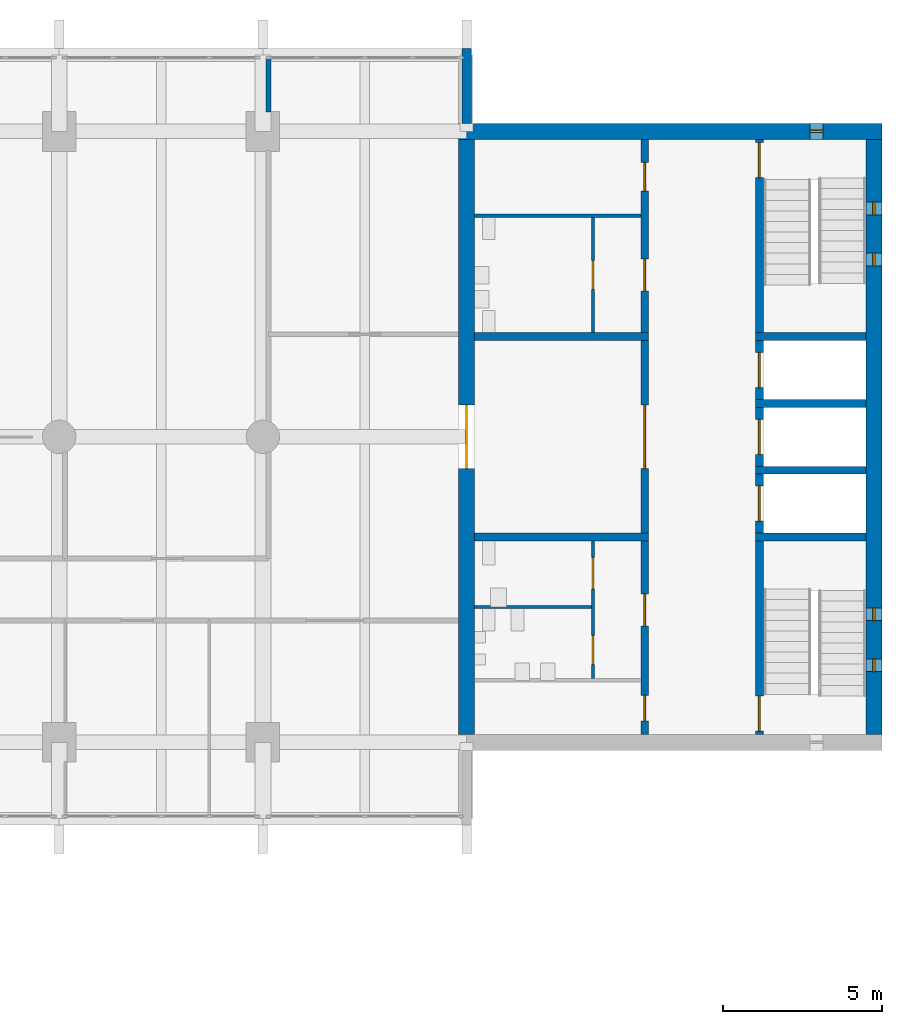
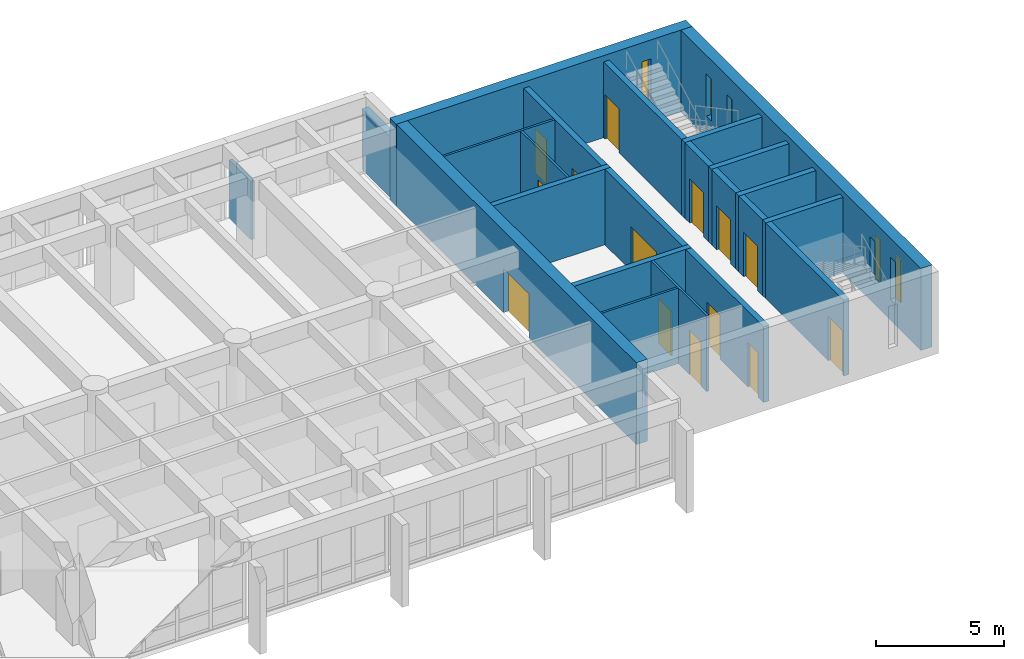
# One storey, part 14 of 19: 23 walls, 14 doors, 5 windows, 19 openings.
"""IFC4 building model written with IfcOpenShell, lengths in metres."""

from ifc_helpers import new_model, si_unit, direction, frame, frame_2d, origin, place, context, subcontext, project, spatial, rectangle, extrude, material, layer, layer_set, type_object, element, fill, save


model = new_model("IFC4")

# Units and contexts
model_context = context("Model", 3, precision=1e-05, world=origin(), true_north=direction((0.0, 1.0)))
body_context = subcontext(model_context, "Body", "Model", "MODEL_VIEW")
ifc_project = project(units=[si_unit("LENGTHUNIT", "METRE"), si_unit("AREAUNIT", "SQUARE_METRE"), si_unit("VOLUMEUNIT", "CUBIC_METRE"), si_unit("PLANEANGLEUNIT", "RADIAN"), si_unit("MASSUNIT", "GRAM", prefix="KILO")], contexts=[model_context])

# Site, building, storey
site_placement = place(None, origin())
site = spatial("IfcSite", under=ifc_project, at=site_placement, CompositionType="ELEMENT")
building_placement = place(site_placement, origin())
building = spatial("IfcBuilding", under=site, at=building_placement, Name="Fogon Plaza Fire Station and Headquarters Tower", CompositionType="ELEMENT")
storey_placement = place(building_placement, frame((0.0, 0.0, 24.89990234375)))
storey = spatial("IfcBuildingStorey", under=building, at=storey_placement, Name="L06", CompositionType="ELEMENT", Elevation=24.89990234375)

# Walls
ifc_material_1 = material(Name="Concrete C40", Category="concrete")
ifc_layer_1 = layer(ifc_material_1, 0.25)
ifc_layer_set_1 = layer_set([ifc_layer_1], Name="Concrete C40")
wall_type_1 = type_object("IfcWallType", Name="Core Wall RC 250", PredefinedType="SOLIDWALL", material=ifc_layer_set_1)
for number, where, z_axis, x_axis, name in (
    (1, (76.550048828125, 40.050048828125, 0.0), (0.0, 0.0, 1.0), (-1.0, 0.0, 0.0), "Core B shaft wall"),
    (2, (76.550048828125, 42.14990234375, 0.0), (0.0, 0.0, 1.0), (-1.0, 0.0, 0.0), "Core B shaft wall"),
    (3, (76.550048828125, 44.25, 0.0), (0.0, 0.0, 1.0), (-1.0, 0.0, 0.0), "Core B shaft wall"),
    (4, (76.550048828125, 46.35009765625, 0.0), (0.0, 0.0, 1.0), (-1.0, 0.0, 0.0), "Core B shaft wall"),
):
    element("IfcWall", number, at=place(storey_placement, frame(where, z_axis=z_axis, x_axis=x_axis)), inside=storey, type_object=wall_type_1, Name=name, PredefinedType="SOLIDWALL", context=body_context, shape_type="SweptSolid", body=[
        extrude(rectangle(XDim=3.47509765625, YDim=0.25, at=frame_2d((1.737548828125, 0.0))), origin(), (0.0, 0.0, 1.0), 3.60009765625),
    ])

# Wall, opening, door
wall_1_placement = place(storey_placement, frame((73.199951171875, 33.85009765625, 0.0), z_axis=(0.0, 0.0, 1.0), x_axis=(0.0, 1.0, 0.0)))
wall_1 = element("IfcWall", 5, at=wall_1_placement, inside=storey, type_object=wall_type_1, Name="Core B shaft wall", PredefinedType="SOLIDWALL", context=body_context, shape_type="SweptSolid", body=[
    extrude(rectangle(XDim=6.074951171875, YDim=0.25, at=frame_2d((3.03759765625, 0.0))), origin(), (0.0, 0.0, 1.0), 3.60009765625),
])
opening_1_placement = place(wall_1_placement, frame((0.10009765625, 0.0, 0.0)))
opening_1 = element("IfcOpeningElement", 6, at=opening_1_placement, cuts=wall_1, Name="Opening L06-D15", PredefinedType="OPENING", context=body_context, shape_type="SweptSolid", body=[
    extrude(rectangle(XDim=1.10009765625, YDim=2.10009765625, at=frame_2d((0.550048828125, 1.050048828125))), frame((0.0, 0.135009765625, 0.0), z_axis=(0.0, -1.0, 0.0), x_axis=(1.0, 0.0, 0.0)), (0.0, 0.0, 1.0), 0.27001953125),
])
ifc_material_2 = material(Name="Steel Fire Door Leaf", Category="steel")
door_type_1 = type_object("IfcDoorType", Name="Stair Door Single 1100x2100", OperationType="SINGLE_SWING_LEFT", PredefinedType="DOOR", material=ifc_material_2)
door_1_placement = place(opening_1_placement, frame((1.10009765625, 0.0, 0.0), z_axis=(0.0, 0.0, 1.0), x_axis=(-1.0, 0.0, 0.0)))
door_1 = element("IfcDoor", 7, at=door_1_placement, inside=storey, type_object=door_type_1, Name="Stair door ST3", OperationType="SINGLE_SWING_RIGHT", OverallHeight=2.10009765625, OverallWidth=1.10009765625, PredefinedType="DOOR", context=body_context, shape_type="SweptSolid", body=[
    extrude(rectangle(XDim=1.10009765625, YDim=2.10009765625, at=frame_2d((0.550048828125, 1.050048828125))), frame((0.0, 0.02490234375, 0.0), z_axis=(0.0, -1.0, 0.0), x_axis=(1.0, 0.0, 0.0)), (0.0, 0.0, 1.0), 0.050048828125),
])
fill(opening_1, door_1)

wall_2_placement = place(storey_placement, frame((73.199951171875, 40.175048828125, 0.0), z_axis=(0.0, 0.0, 1.0), x_axis=(0.0, 1.0, 0.0)))
wall_2 = element("IfcWall", 8, at=wall_2_placement, inside=storey, type_object=wall_type_1, Name="Core B shaft wall", PredefinedType="SOLIDWALL", context=body_context, shape_type="SweptSolid", body=[
    extrude(rectangle(XDim=1.849853515625, YDim=0.25, at=frame_2d((0.9248046875, 0.0))), origin(), (0.0, 0.0, 1.0), 3.60009765625),
])
opening_2_placement = place(wall_2_placement, frame((0.375, 0.0, 0.0)))
opening_2 = element("IfcOpeningElement", 9, at=opening_2_placement, cuts=wall_2, Name="Opening L06-D17", PredefinedType="OPENING", context=body_context, shape_type="SweptSolid", body=[
    extrude(rectangle(XDim=1.10009765625, YDim=2.10009765625, at=frame_2d((0.550048828125, 1.050048828125))), frame((0.0, 0.135009765625, 0.0), z_axis=(0.0, -1.0, 0.0), x_axis=(1.0, 0.0, 0.0)), (0.0, 0.0, 1.0), 0.27001953125),
])
ifc_material_3 = material(Name="Stainless Steel", Category="steel")
door_type_2 = type_object("IfcDoorType", Name="Lift Landing Door 1100x2100", OperationType="SLIDING_TO_LEFT", PredefinedType="DOOR", material=ifc_material_3)
door_2_placement = place(opening_2_placement, origin())
door_2 = element("IfcDoor", 10, at=door_2_placement, inside=storey, type_object=door_type_2, Name="Lift LP3 landing door", OperationType="SLIDING_TO_LEFT", OverallHeight=2.10009765625, OverallWidth=1.10009765625, PredefinedType="DOOR", context=body_context, shape_type="SweptSolid", body=[
    extrude(rectangle(XDim=1.10009765625, YDim=2.10009765625, at=frame_2d((0.550048828125, 1.050048828125))), frame((0.0, 0.02490234375, 0.0), z_axis=(0.0, -1.0, 0.0), x_axis=(1.0, 0.0, 0.0)), (0.0, 0.0, 1.0), 0.050048828125),
])
fill(opening_2, door_2)

wall_3_placement = place(storey_placement, frame((73.199951171875, 42.27490234375, 0.0), z_axis=(0.0, 0.0, 1.0), x_axis=(0.0, 1.0, 0.0)))
wall_3 = element("IfcWall", 11, at=wall_3_placement, inside=storey, type_object=wall_type_1, Name="Core B shaft wall", PredefinedType="SOLIDWALL", context=body_context, shape_type="SweptSolid", body=[
    extrude(rectangle(XDim=1.85009765625, YDim=0.25, at=frame_2d((0.925048828125, 0.0))), origin(), (0.0, 0.0, 1.0), 3.60009765625),
])
opening_3_placement = place(wall_3_placement, frame((0.375, 0.0, 0.0)))
opening_3 = element("IfcOpeningElement", 12, at=opening_3_placement, cuts=wall_3, Name="Opening L06-D18", PredefinedType="OPENING", context=body_context, shape_type="SweptSolid", body=[
    extrude(rectangle(XDim=1.10009765625, YDim=2.10009765625, at=frame_2d((0.550048828125, 1.050048828125))), frame((0.0, 0.135009765625, 0.0), z_axis=(0.0, -1.0, 0.0), x_axis=(1.0, 0.0, 0.0)), (0.0, 0.0, 1.0), 0.27001953125),
])
door_3_placement = place(opening_3_placement, origin())
door_3 = element("IfcDoor", 13, at=door_3_placement, inside=storey, type_object=door_type_2, Name="Lift LP4 landing door", OperationType="SLIDING_TO_LEFT", OverallHeight=2.10009765625, OverallWidth=1.10009765625, PredefinedType="DOOR", context=body_context, shape_type="SweptSolid", body=[
    extrude(rectangle(XDim=1.10009765625, YDim=2.10009765625, at=frame_2d((0.550048828125, 1.050048828125))), frame((0.0, 0.02490234375, 0.0), z_axis=(0.0, -1.0, 0.0), x_axis=(1.0, 0.0, 0.0)), (0.0, 0.0, 1.0), 0.050048828125),
])
fill(opening_3, door_3)

wall_4_placement = place(storey_placement, frame((73.199951171875, 44.375, 0.0), z_axis=(0.0, 0.0, 1.0), x_axis=(0.0, 1.0, 0.0)))
wall_4 = element("IfcWall", 14, at=wall_4_placement, inside=storey, type_object=wall_type_1, Name="Core B shaft wall", PredefinedType="SOLIDWALL", context=body_context, shape_type="SweptSolid", body=[
    extrude(rectangle(XDim=1.85009765625, YDim=0.25, at=frame_2d((0.925048828125, 0.0))), origin(), (0.0, 0.0, 1.0), 3.60009765625),
])
opening_4_placement = place(wall_4_placement, frame((0.375, 0.0, 0.0)))
opening_4 = element("IfcOpeningElement", 15, at=opening_4_placement, cuts=wall_4, Name="Opening L06-D19", PredefinedType="OPENING", context=body_context, shape_type="SweptSolid", body=[
    extrude(rectangle(XDim=1.10009765625, YDim=2.10009765625, at=frame_2d((0.550048828125, 1.050048828125))), frame((0.0, 0.135009765625, 0.0), z_axis=(0.0, -1.0, 0.0), x_axis=(1.0, 0.0, 0.0)), (0.0, 0.0, 1.0), 0.27001953125),
])
door_4_placement = place(opening_4_placement, origin())
door_4 = element("IfcDoor", 16, at=door_4_placement, inside=storey, type_object=door_type_2, Name="Lift FL2 landing door", OperationType="SLIDING_TO_LEFT", OverallHeight=2.10009765625, OverallWidth=1.10009765625, PredefinedType="DOOR", context=body_context, shape_type="SweptSolid", body=[
    extrude(rectangle(XDim=1.10009765625, YDim=2.10009765625, at=frame_2d((0.550048828125, 1.050048828125))), frame((0.0, 0.02490234375, 0.0), z_axis=(0.0, -1.0, 0.0), x_axis=(1.0, 0.0, 0.0)), (0.0, 0.0, 1.0), 0.050048828125),
])
fill(opening_4, door_4)

wall_5_placement = place(storey_placement, frame((73.199951171875, 46.47509765625, 0.0), z_axis=(0.0, 0.0, 1.0), x_axis=(0.0, 1.0, 0.0)))
wall_5 = element("IfcWall", 17, at=wall_5_placement, inside=storey, type_object=wall_type_1, Name="Core B shaft wall", PredefinedType="SOLIDWALL", context=body_context, shape_type="SweptSolid", body=[
    extrude(rectangle(XDim=6.074951171875, YDim=0.25, at=frame_2d((3.03759765625, 0.0))), origin(), (0.0, 0.0, 1.0), 3.60009765625),
])
opening_5_placement = place(wall_5_placement, frame((4.875, 0.0, 0.0)))
opening_5 = element("IfcOpeningElement", 18, at=opening_5_placement, cuts=wall_5, Name="Opening L06-D16", PredefinedType="OPENING", context=body_context, shape_type="SweptSolid", body=[
    extrude(rectangle(XDim=1.10009765625, YDim=2.10009765625, at=frame_2d((0.550048828125, 1.050048828125))), frame((0.0, 0.135009765625, 0.0), z_axis=(0.0, -1.0, 0.0), x_axis=(1.0, 0.0, 0.0)), (0.0, 0.0, 1.0), 0.27001953125),
])
door_5_placement = place(opening_5_placement, frame((1.10009765625, 0.0, 0.0), z_axis=(0.0, 0.0, 1.0), x_axis=(-1.0, 0.0, 0.0)))
door_5 = element("IfcDoor", 19, at=door_5_placement, inside=storey, type_object=door_type_1, Name="Stair door ST4", OperationType="SINGLE_SWING_LEFT", OverallHeight=2.10009765625, OverallWidth=1.10009765625, PredefinedType="DOOR", context=body_context, shape_type="SweptSolid", body=[
    extrude(rectangle(XDim=1.10009765625, YDim=2.10009765625, at=frame_2d((0.550048828125, 1.050048828125))), frame((0.0, 0.02490234375, 0.0), z_axis=(0.0, -1.0, 0.0), x_axis=(1.0, 0.0, 0.0)), (0.0, 0.0, 1.0), 0.050048828125),
])
fill(opening_5, door_5)

# Wall, openings, doors
wall_6_placement = place(storey_placement, frame((69.60009765625, 33.85009765625, 0.0), z_axis=(0.0, 0.0, 1.0), x_axis=(0.0, 1.0, 0.0)))
wall_6 = element("IfcWall", 20, at=wall_6_placement, inside=storey, type_object=wall_type_1, Name="Core B shaft wall", PredefinedType="SOLIDWALL", context=body_context, shape_type="SweptSolid", body=[
    extrude(rectangle(XDim=6.074951171875, YDim=0.25, at=frame_2d((3.03759765625, 0.0))), origin(), (0.0, 0.0, 1.0), 3.60009765625),
])
opening_6_placement = place(wall_6_placement, frame((0.425048828125, 0.0, 0.0)))
opening_6 = element("IfcOpeningElement", 21, at=opening_6_placement, cuts=wall_6, Name="Opening L06-D22", PredefinedType="OPENING", context=body_context, shape_type="SweptSolid", body=[
    extrude(rectangle(XDim=0.800048828125, YDim=2.10009765625, at=frame_2d((0.39990234375, 1.050048828125))), frame((0.0, 0.135009765625, 0.0), z_axis=(0.0, -1.0, 0.0), x_axis=(1.0, 0.0, 0.0)), (0.0, 0.0, 1.0), 0.27001953125),
])
opening_7_placement = place(wall_6_placement, frame((3.41259765625, 0.0, 0.0)))
opening_7 = element("IfcOpeningElement", 22, at=opening_7_placement, cuts=wall_6, Name="Opening L06-D23", PredefinedType="OPENING", context=body_context, shape_type="SweptSolid", body=[
    extrude(rectangle(XDim=1.0, YDim=2.10009765625, at=frame_2d((0.5, 1.050048828125))), frame((0.0, 0.135009765625, 0.0), z_axis=(0.0, -1.0, 0.0), x_axis=(1.0, 0.0, 0.0)), (0.0, 0.0, 1.0), 0.27001953125),
])
ifc_material_4 = material(Name="Timber Door Leaf", Category="wood")
door_type_3 = type_object("IfcDoorType", Name="Cleaner Store Single 800x2100", OperationType="SINGLE_SWING_LEFT", PredefinedType="DOOR", material=ifc_material_4)
door_6_placement = place(opening_6_placement, origin())
door_6 = element("IfcDoor", 23, at=door_6_placement, inside=storey, type_object=door_type_3, Name="Cleaner's store B door", OperationType="SINGLE_SWING_LEFT", OverallHeight=2.10009765625, OverallWidth=0.800048828125, PredefinedType="DOOR", context=body_context, shape_type="SweptSolid", body=[
    extrude(rectangle(XDim=0.800048828125, YDim=2.10009765625, at=frame_2d((0.39990234375, 1.050048828125))), frame((0.0, 0.02490234375, 0.0), z_axis=(0.0, -1.0, 0.0), x_axis=(1.0, 0.0, 0.0)), (0.0, 0.0, 1.0), 0.050048828125),
])
fill(opening_6, door_6)
ifc_material_5 = material(Name="Timber fire door", Category="wood")
door_type_4 = type_object("IfcDoorType", Name="WC Lobby Single 1000x2100", OperationType="SINGLE_SWING_LEFT", PredefinedType="DOOR", material=ifc_material_5)
door_7_placement = place(opening_7_placement, origin())
door_7 = element("IfcDoor", 24, at=door_7_placement, inside=storey, type_object=door_type_4, Name="Men's WC lobby B door", OperationType="SINGLE_SWING_RIGHT", OverallHeight=2.10009765625, OverallWidth=1.0, PredefinedType="DOOR", context=body_context, shape_type="SweptSolid", body=[
    extrude(rectangle(XDim=1.0, YDim=2.10009765625, at=frame_2d((0.5, 1.050048828125))), frame((0.0, 0.02490234375, 0.0), z_axis=(0.0, -1.0, 0.0), x_axis=(1.0, 0.0, 0.0)), (0.0, 0.0, 1.0), 0.050048828125),
])
fill(opening_7, door_7)

# Wall, opening, door
wall_7_placement = place(storey_placement, frame((69.60009765625, 40.175048828125, 0.0), z_axis=(0.0, 0.0, 1.0), x_axis=(0.0, 1.0, 0.0)))
wall_7 = element("IfcWall", 25, at=wall_7_placement, inside=storey, type_object=wall_type_1, Name="Core B shaft wall", PredefinedType="SOLIDWALL", context=body_context, shape_type="SweptSolid", body=[
    extrude(rectangle(XDim=6.050048828125, YDim=0.25, at=frame_2d((3.02490234375, 0.0))), origin(), (0.0, 0.0, 1.0), 3.60009765625),
])
opening_8_placement = place(wall_7_placement, frame((2.02490234375, 0.0, 0.0)))
opening_8 = element("IfcOpeningElement", 26, at=opening_8_placement, cuts=wall_7, Name="Opening L06-D20", PredefinedType="OPENING", context=body_context, shape_type="SweptSolid", body=[
    extrude(rectangle(XDim=2.0, YDim=2.10009765625, at=frame_2d((1.0, 1.050048828125))), frame((0.0, 0.135009765625, 0.0), z_axis=(0.0, -1.0, 0.0), x_axis=(1.0, 0.0, 0.0)), (0.0, 0.0, 1.0), 0.27001953125),
])
ifc_material_6 = material(Name="Steel Fire Door Leaf", Category="steel")
door_type_5 = type_object("IfcDoorType", Name="Vestibule Double 2000x2100", OperationType="DOUBLE_DOOR_SINGLE_SWING", PredefinedType="DOOR", material=ifc_material_6)
door_8_placement = place(opening_8_placement, origin())
door_8 = element("IfcDoor", 27, at=door_8_placement, inside=storey, type_object=door_type_5, Name="Vestibule B door", OperationType="DOUBLE_DOOR_SINGLE_SWING", OverallHeight=2.10009765625, OverallWidth=2.0, PredefinedType="DOOR", context=body_context, shape_type="SweptSolid", body=[
    extrude(rectangle(XDim=2.0, YDim=2.10009765625, at=frame_2d((1.0, 1.050048828125))), frame((0.0, 0.02490234375, 0.0), z_axis=(0.0, -1.0, 0.0), x_axis=(1.0, 0.0, 0.0)), (0.0, 0.0, 1.0), 0.050048828125),
])
fill(opening_8, door_8)

# Wall, openings, doors
wall_8_placement = place(storey_placement, frame((69.60009765625, 46.47509765625, 0.0), z_axis=(0.0, 0.0, 1.0), x_axis=(0.0, 1.0, 0.0)))
wall_8 = element("IfcWall", 28, at=wall_8_placement, inside=storey, type_object=wall_type_1, Name="Core B shaft wall", PredefinedType="SOLIDWALL", context=body_context, shape_type="SweptSolid", body=[
    extrude(rectangle(XDim=6.074951171875, YDim=0.25, at=frame_2d((3.03759765625, 0.0))), origin(), (0.0, 0.0, 1.0), 3.60009765625),
])
opening_9_placement = place(wall_8_placement, frame((1.3125, 0.0, 0.0)))
opening_9 = element("IfcOpeningElement", 29, at=opening_9_placement, cuts=wall_8, Name="Opening L06-D26", PredefinedType="OPENING", context=body_context, shape_type="SweptSolid", body=[
    extrude(rectangle(XDim=1.0, YDim=2.10009765625, at=frame_2d((0.5, 1.050048828125))), frame((0.0, 0.135009765625, 0.0), z_axis=(0.0, -1.0, 0.0), x_axis=(1.0, 0.0, 0.0)), (0.0, 0.0, 1.0), 0.27001953125),
])
opening_10_placement = place(wall_8_placement, frame((4.449951171875, 0.0, 0.0)))
opening_10 = element("IfcOpeningElement", 30, at=opening_10_placement, cuts=wall_8, Name="Opening L06-D28", PredefinedType="OPENING", context=body_context, shape_type="SweptSolid", body=[
    extrude(rectangle(XDim=0.89990234375, YDim=2.10009765625, at=frame_2d((0.449951171875, 1.050048828125))), frame((0.0, 0.135009765625, 0.0), z_axis=(0.0, -1.0, 0.0), x_axis=(1.0, 0.0, 0.0)), (0.0, 0.0, 1.0), 0.27001953125),
])
ifc_material_7 = material(Name="Steel Fire Door Leaf", Category="steel")
door_type_6 = type_object("IfcDoorType", Name="Riser Single 900x2100", OperationType="SINGLE_SWING_LEFT", PredefinedType="DOOR", material=ifc_material_7)
door_9_placement = place(opening_10_placement, origin())
door_9 = element("IfcDoor", 31, at=door_9_placement, inside=storey, type_object=door_type_6, Name="Riser room B door", OperationType="SINGLE_SWING_LEFT", OverallHeight=2.10009765625, OverallWidth=0.89990234375, PredefinedType="DOOR", context=body_context, shape_type="SweptSolid", body=[
    extrude(rectangle(XDim=0.89990234375, YDim=2.10009765625, at=frame_2d((0.449951171875, 1.050048828125))), frame((0.0, 0.02490234375, 0.0), z_axis=(0.0, -1.0, 0.0), x_axis=(1.0, 0.0, 0.0)), (0.0, 0.0, 1.0), 0.050048828125),
])
fill(opening_10, door_9)
door_10_placement = place(opening_9_placement, origin())
door_10 = element("IfcDoor", 32, at=door_10_placement, inside=storey, type_object=door_type_4, Name="Women's WC lobby B door", OperationType="SINGLE_SWING_LEFT", OverallHeight=2.10009765625, OverallWidth=1.0, PredefinedType="DOOR", context=body_context, shape_type="SweptSolid", body=[
    extrude(rectangle(XDim=1.0, YDim=2.10009765625, at=frame_2d((0.5, 1.050048828125))), frame((0.0, 0.02490234375, 0.0), z_axis=(0.0, -1.0, 0.0), x_axis=(1.0, 0.0, 0.0)), (0.0, 0.0, 1.0), 0.050048828125),
])
fill(opening_9, door_10)

# Walls
for number, where, z_axis, x_axis, name in (
    (33, (69.72509765625, 40.050048828125, 0.0), (0.0, 0.0, 1.0), (-1.0, 0.0, 0.0), "Core B shaft wall"),
    (34, (69.72509765625, 46.35009765625, 0.0), (0.0, 0.0, 1.0), (-1.0, 0.0, 0.0), "Core B shaft wall"),
):
    element("IfcWall", number, at=place(storey_placement, frame(where, z_axis=z_axis, x_axis=x_axis)), inside=storey, type_object=wall_type_1, Name=name, PredefinedType="SOLIDWALL", context=body_context, shape_type="SweptSolid", body=[
        extrude(rectangle(XDim=5.47509765625, YDim=0.25, at=frame_2d((2.737548828125, 0.0))), origin(), (0.0, 0.0, 1.0), 3.60009765625),
    ])
ifc_material_8 = material(Name="Concrete C40", Category="concrete")
ifc_layer_2 = layer(ifc_material_8, 0.300048828125)
ifc_layer_set_2 = layer_set([ifc_layer_2], Name="Concrete C40")
wall_type_2 = type_object("IfcWallType", Name="Fair-faced RC Return Panel 300", PredefinedType="SOLIDWALL", material=ifc_layer_set_2)
wall_9_placement = place(storey_placement, frame((64.0, 53.050048828125, 0.0), z_axis=(0.0, 0.0, 1.0), x_axis=(0.0, 1.0, 0.0)))
element("IfcWall", 35, at=wall_9_placement, inside=storey, type_object=wall_type_2, Name="Bar end return EN L06", PredefinedType="SOLIDWALL", context=body_context, shape_type="SweptSolid", body=[
    extrude(rectangle(XDim=2.349853515625, YDim=0.300048828125, at=frame_2d((1.1748046875, 0.0))), origin(), (0.0, 0.0, 1.0), 2.880126953125),
])

# Wall, openings, doors
ifc_material_9 = material(Name="Blockwork", Category="masonry")
ifc_layer_3 = layer(ifc_material_9, 0.10009765625)
ifc_layer_set_3 = layer_set([ifc_layer_3], Name="Blockwork")
wall_type_3 = type_object("IfcWallType", Name="Partition Blockwork 100", PredefinedType="PARTITIONING", material=ifc_layer_set_3)
wall_10_placement = place(storey_placement, frame((67.97509765625, 35.60009765625, 0.0), z_axis=(0.0, 0.0, 1.0), x_axis=(0.0, 1.0, 0.0)))
wall_10 = element("IfcWall", 36, at=wall_10_placement, inside=storey, type_object=wall_type_3, Name="WC block partition", PredefinedType="PARTITIONING", context=body_context, shape_type="SweptSolid", body=[
    extrude(rectangle(XDim=4.324951171875, YDim=0.10009765625, at=frame_2d((2.16259765625, 0.0))), origin(), (0.0, 0.0, 1.0), 3.60009765625),
])
opening_11_placement = place(wall_10_placement, frame((0.449951171875, 0.0, 0.0)))
opening_11 = element("IfcOpeningElement", 37, at=opening_11_placement, cuts=wall_10, Name="Opening L06-D24", PredefinedType="OPENING", context=body_context, shape_type="SweptSolid", body=[
    extrude(rectangle(XDim=0.89990234375, YDim=2.10009765625, at=frame_2d((0.449951171875, 1.050048828125))), frame((0.0, 0.06005859375, 0.0), z_axis=(0.0, -1.0, 0.0), x_axis=(1.0, 0.0, 0.0)), (0.0, 0.0, 1.0), 0.1201171875),
])
opening_12_placement = place(wall_10_placement, frame((2.8125, 0.0, 0.0)))
opening_12 = element("IfcOpeningElement", 38, at=opening_12_placement, cuts=wall_10, Name="Opening L06-D25", PredefinedType="OPENING", context=body_context, shape_type="SweptSolid", body=[
    extrude(rectangle(XDim=1.0, YDim=2.10009765625, at=frame_2d((0.5, 1.050048828125))), frame((0.0, 0.06005859375, 0.0), z_axis=(0.0, -1.0, 0.0), x_axis=(1.0, 0.0, 0.0)), (0.0, 0.0, 1.0), 0.1201171875),
])
ifc_material_10 = material(Name="Timber Door Leaf", Category="wood")
door_type_7 = type_object("IfcDoorType", Name="Accessible WC Single 1000x2100", OperationType="SINGLE_SWING_LEFT", PredefinedType="DOOR", material=ifc_material_10)
door_11_placement = place(opening_12_placement, origin())
door_11 = element("IfcDoor", 39, at=door_11_placement, inside=storey, type_object=door_type_7, Name="Accessible WC B door", OperationType="SINGLE_SWING_RIGHT", OverallHeight=2.10009765625, OverallWidth=1.0, PredefinedType="DOOR", context=body_context, shape_type="SweptSolid", body=[
    extrude(rectangle(XDim=1.0, YDim=2.10009765625, at=frame_2d((0.5, 1.050048828125))), frame((0.0, 0.02490234375, 0.0), z_axis=(0.0, -1.0, 0.0), x_axis=(1.0, 0.0, 0.0)), (0.0, 0.0, 1.0), 0.050048828125),
])
fill(opening_12, door_11)
ifc_material_11 = material(Name="Timber Door Leaf", Category="wood")
door_type_8 = type_object("IfcDoorType", Name="WC Single 900x2100", OperationType="SINGLE_SWING_LEFT", PredefinedType="DOOR", material=ifc_material_11)
door_12_placement = place(opening_11_placement, origin())
door_12 = element("IfcDoor", 40, at=door_12_placement, inside=storey, type_object=door_type_8, Name="Men's WC B door", OperationType="SINGLE_SWING_LEFT", OverallHeight=2.10009765625, OverallWidth=0.89990234375, PredefinedType="DOOR", context=body_context, shape_type="SweptSolid", body=[
    extrude(rectangle(XDim=0.89990234375, YDim=2.10009765625, at=frame_2d((0.449951171875, 1.050048828125))), frame((0.0, 0.02490234375, 0.0), z_axis=(0.0, -1.0, 0.0), x_axis=(1.0, 0.0, 0.0)), (0.0, 0.0, 1.0), 0.050048828125),
])
fill(opening_11, door_12)

# Wall
wall_11_placement = place(storey_placement, frame((67.925048828125, 37.85009765625, 0.0), z_axis=(0.0, 0.0, 1.0), x_axis=(-1.0, 0.0, 0.0)))
element("IfcWall", 41, at=wall_11_placement, inside=storey, type_object=wall_type_3, Name="WC block partition", PredefinedType="PARTITIONING", context=body_context, shape_type="SweptSolid", body=[
    extrude(rectangle(XDim=3.675048828125, YDim=0.10009765625, at=frame_2d((1.83740234375, 0.0))), origin(), (0.0, 0.0, 1.0), 3.60009765625),
])

# Wall, opening, door
wall_12_placement = place(storey_placement, frame((67.97509765625, 46.47509765625, 0.0), z_axis=(0.0, 0.0, 1.0), x_axis=(0.0, 1.0, 0.0)))
wall_12 = element("IfcWall", 42, at=wall_12_placement, inside=storey, type_object=wall_type_3, Name="WC block partition", PredefinedType="PARTITIONING", context=body_context, shape_type="SweptSolid", body=[
    extrude(rectangle(XDim=3.625, YDim=0.10009765625, at=frame_2d((1.8125, 0.0))), origin(), (0.0, 0.0, 1.0), 3.60009765625),
])
opening_13_placement = place(wall_12_placement, frame((1.362548828125, 0.0, 0.0)))
opening_13 = element("IfcOpeningElement", 43, at=opening_13_placement, cuts=wall_12, Name="Opening L06-D27", PredefinedType="OPENING", context=body_context, shape_type="SweptSolid", body=[
    extrude(rectangle(XDim=0.89990234375, YDim=2.10009765625, at=frame_2d((0.449951171875, 1.050048828125))), frame((0.0, 0.06005859375, 0.0), z_axis=(0.0, -1.0, 0.0), x_axis=(1.0, 0.0, 0.0)), (0.0, 0.0, 1.0), 0.1201171875),
])
door_13_placement = place(opening_13_placement, origin())
door_13 = element("IfcDoor", 44, at=door_13_placement, inside=storey, type_object=door_type_8, Name="Women's WC B door", OperationType="SINGLE_SWING_RIGHT", OverallHeight=2.10009765625, OverallWidth=0.89990234375, PredefinedType="DOOR", context=body_context, shape_type="SweptSolid", body=[
    extrude(rectangle(XDim=0.89990234375, YDim=2.10009765625, at=frame_2d((0.449951171875, 1.050048828125))), frame((0.0, 0.02490234375, 0.0), z_axis=(0.0, -1.0, 0.0), x_axis=(1.0, 0.0, 0.0)), (0.0, 0.0, 1.0), 0.050048828125),
])
fill(opening_13, door_13)

# Wall
ifc_material_12 = material(Name="Blockwork", Category="masonry")
ifc_layer_4 = layer(ifc_material_12, 0.10009765625)
ifc_layer_set_4 = layer_set([ifc_layer_4], Name="Blockwork")
wall_type_4 = type_object("IfcWallType", Name="Riser Partition Blockwork 100", PredefinedType="PARTITIONING", material=ifc_layer_set_4)
wall_13_placement = place(storey_placement, frame((69.47509765625, 50.14990234375, 0.0), z_axis=(0.0, 0.0, 1.0), x_axis=(-1.0, 0.0, 0.0)))
element("IfcWall", 45, at=wall_13_placement, inside=storey, type_object=wall_type_4, Name="Riser room partition", PredefinedType="PARTITIONING", context=body_context, shape_type="SweptSolid", body=[
    extrude(rectangle(XDim=5.22509765625, YDim=0.10009765625, at=frame_2d((2.612548828125, 0.0))), origin(), (0.0, 0.0, 1.0), 3.60009765625),
])

# Wall, opening, window
ifc_material_13 = material(Name="Concrete C40", Category="concrete")
ifc_layer_5 = layer(ifc_material_13, 0.5)
ifc_layer_set_5 = layer_set([ifc_layer_5], Name="Concrete C40")
wall_type_5 = type_object("IfcWallType", Name="Shear wall 500 SW50", PredefinedType="SHEAR", material=ifc_layer_set_5)
wall_14_placement = place(storey_placement, frame((63.75, 52.800048828125, 0.0), z_axis=(0.0, 0.0, 1.0), x_axis=(1.0, 0.0, 0.0)))
wall_14 = element("IfcWall", 46, at=wall_14_placement, inside=storey, type_object=wall_type_5, Name="wall-coreB-N-L06", PredefinedType="SHEAR", context=body_context, shape_type="SweptSolid", body=[
    extrude(rectangle(XDim=13.300048828125, YDim=0.5, at=frame_2d((6.64990234375, 0.0))), origin(), (0.0, 0.0, 1.0), 3.900146484375),
])
opening_14_placement = place(wall_14_placement, frame((11.050048828125, 0.0, 1.0)))
opening_14 = element("IfcOpeningElement", 47, at=opening_14_placement, cuts=wall_14, Name="Opening WS1", PredefinedType="OPENING", context=body_context, shape_type="SweptSolid", body=[
    extrude(rectangle(XDim=0.39990234375, YDim=2.0, at=frame_2d((0.199951171875, 1.0))), frame((0.0, 0.260009765625, 0.0), z_axis=(0.0, -1.0, 0.0), x_axis=(1.0, 0.0, 0.0)), (0.0, 0.0, 1.0), 0.52001953125),
])
ifc_material_14 = material(Name="Aluminium framed double glazing", Category="aluminium")
window_type = type_object("IfcWindowType", Name="Slit Window WS1 400x2000", PartitioningType="SINGLE_PANEL", PredefinedType="WINDOW", material=ifc_material_14)
window_1_placement = place(opening_14_placement, origin())
window_1 = element("IfcWindow", 48, at=window_1_placement, inside=storey, type_object=window_type, Name="Slit window B6 L06", OverallHeight=2.0, OverallWidth=0.39990234375, PartitioningType="SINGLE_PANEL", PredefinedType="WINDOW", context=body_context, shape_type="SweptSolid", body=[
    extrude(rectangle(XDim=0.39990234375, YDim=2.0, at=frame_2d((0.199951171875, 1.0))), frame((0.0, 0.030029296875, 0.0), z_axis=(0.0, -1.0, 0.0), x_axis=(1.0, 0.0, 0.0)), (0.0, 0.0, 1.0), 0.06005859375),
])
fill(opening_14, window_1)

# Wall, openings, windows
wall_15_placement = place(storey_placement, frame((76.800048828125, 33.85009765625, 0.0), z_axis=(0.0, 0.0, 1.0), x_axis=(0.0, 1.0, 0.0)))
wall_15 = element("IfcWall", 49, at=wall_15_placement, inside=storey, type_object=wall_type_5, Name="wall-coreB-E-L06", PredefinedType="SHEAR", context=body_context, shape_type="SweptSolid", body=[
    extrude(rectangle(XDim=18.699951171875, YDim=0.5, at=frame_2d((9.35009765625, 0.0))), origin(), (0.0, 0.0, 1.0), 3.900146484375),
])
opening_15_placement = place(wall_15_placement, frame((1.97509765625, 0.0, 1.0)))
opening_15 = element("IfcOpeningElement", 50, at=opening_15_placement, cuts=wall_15, Name="Opening WS1", PredefinedType="OPENING", context=body_context, shape_type="SweptSolid", body=[
    extrude(rectangle(XDim=0.39990234375, YDim=2.0, at=frame_2d((0.199951171875, 1.0))), frame((0.0, 0.260009765625, 0.0), z_axis=(0.0, -1.0, 0.0), x_axis=(1.0, 0.0, 0.0)), (0.0, 0.0, 1.0), 0.52001953125),
])
opening_16_placement = place(wall_15_placement, frame((3.574951171875, 0.0, 1.0)))
opening_16 = element("IfcOpeningElement", 51, at=opening_16_placement, cuts=wall_15, Name="Opening WS1", PredefinedType="OPENING", context=body_context, shape_type="SweptSolid", body=[
    extrude(rectangle(XDim=0.39990234375, YDim=2.0, at=frame_2d((0.199951171875, 1.0))), frame((0.0, 0.260009765625, 0.0), z_axis=(0.0, -1.0, 0.0), x_axis=(1.0, 0.0, 0.0)), (0.0, 0.0, 1.0), 0.52001953125),
])
opening_17_placement = place(wall_15_placement, frame((14.72509765625, 0.0, 1.0)))
opening_17 = element("IfcOpeningElement", 52, at=opening_17_placement, cuts=wall_15, Name="Opening WS1", PredefinedType="OPENING", context=body_context, shape_type="SweptSolid", body=[
    extrude(rectangle(XDim=0.39990234375, YDim=2.0, at=frame_2d((0.199951171875, 1.0))), frame((0.0, 0.260009765625, 0.0), z_axis=(0.0, -1.0, 0.0), x_axis=(1.0, 0.0, 0.0)), (0.0, 0.0, 1.0), 0.52001953125),
])
opening_18_placement = place(wall_15_placement, frame((16.324951171875, 0.0, 1.0)))
opening_18 = element("IfcOpeningElement", 53, at=opening_18_placement, cuts=wall_15, Name="Opening WS1", PredefinedType="OPENING", context=body_context, shape_type="SweptSolid", body=[
    extrude(rectangle(XDim=0.39990234375, YDim=2.0, at=frame_2d((0.199951171875, 1.0))), frame((0.0, 0.260009765625, 0.0), z_axis=(0.0, -1.0, 0.0), x_axis=(1.0, 0.0, 0.0)), (0.0, 0.0, 1.0), 0.52001953125),
])
window_2_placement = place(opening_15_placement, origin())
window_2 = element("IfcWindow", 54, at=window_2_placement, inside=storey, type_object=window_type, Name="Slit window B1 L06", OverallHeight=2.0, OverallWidth=0.39990234375, PartitioningType="SINGLE_PANEL", PredefinedType="WINDOW", context=body_context, shape_type="SweptSolid", body=[
    extrude(rectangle(XDim=0.39990234375, YDim=2.0, at=frame_2d((0.199951171875, 1.0))), frame((0.0, 0.030029296875, 0.0), z_axis=(0.0, -1.0, 0.0), x_axis=(1.0, 0.0, 0.0)), (0.0, 0.0, 1.0), 0.06005859375),
])
fill(opening_15, window_2)
window_3_placement = place(opening_16_placement, origin())
window_3 = element("IfcWindow", 55, at=window_3_placement, inside=storey, type_object=window_type, Name="Slit window B2 L06", OverallHeight=2.0, OverallWidth=0.39990234375, PartitioningType="SINGLE_PANEL", PredefinedType="WINDOW", context=body_context, shape_type="SweptSolid", body=[
    extrude(rectangle(XDim=0.39990234375, YDim=2.0, at=frame_2d((0.199951171875, 1.0))), frame((0.0, 0.030029296875, 0.0), z_axis=(0.0, -1.0, 0.0), x_axis=(1.0, 0.0, 0.0)), (0.0, 0.0, 1.0), 0.06005859375),
])
fill(opening_16, window_3)
window_4_placement = place(opening_17_placement, origin())
window_4 = element("IfcWindow", 56, at=window_4_placement, inside=storey, type_object=window_type, Name="Slit window B3 L06", OverallHeight=2.0, OverallWidth=0.39990234375, PartitioningType="SINGLE_PANEL", PredefinedType="WINDOW", context=body_context, shape_type="SweptSolid", body=[
    extrude(rectangle(XDim=0.39990234375, YDim=2.0, at=frame_2d((0.199951171875, 1.0))), frame((0.0, 0.030029296875, 0.0), z_axis=(0.0, -1.0, 0.0), x_axis=(1.0, 0.0, 0.0)), (0.0, 0.0, 1.0), 0.06005859375),
])
fill(opening_17, window_4)
window_5_placement = place(opening_18_placement, origin())
window_5 = element("IfcWindow", 57, at=window_5_placement, inside=storey, type_object=window_type, Name="Slit window B4 L06", OverallHeight=2.0, OverallWidth=0.39990234375, PartitioningType="SINGLE_PANEL", PredefinedType="WINDOW", context=body_context, shape_type="SweptSolid", body=[
    extrude(rectangle(XDim=0.39990234375, YDim=2.0, at=frame_2d((0.199951171875, 1.0))), frame((0.0, 0.030029296875, 0.0), z_axis=(0.0, -1.0, 0.0), x_axis=(1.0, 0.0, 0.0)), (0.0, 0.0, 1.0), 0.06005859375),
])
fill(opening_18, window_5)

# Wall, opening, door
wall_16_placement = place(storey_placement, frame((64.0, 33.85009765625, 0.0), z_axis=(0.0, 0.0, 1.0), x_axis=(0.0, 1.0, 0.0)))
wall_16 = element("IfcWall", 58, at=wall_16_placement, inside=storey, type_object=wall_type_5, Name="wall-coreB-W-L06", PredefinedType="SHEAR", context=body_context, shape_type="SweptSolid", body=[
    extrude(rectangle(XDim=18.699951171875, YDim=0.5, at=frame_2d((9.35009765625, 0.0))), origin(), (0.0, 0.0, 1.0), 3.900146484375),
])
opening_19_placement = place(wall_16_placement, frame((8.35009765625, 0.0, 0.0)))
opening_19 = element("IfcOpeningElement", 59, at=opening_19_placement, cuts=wall_16, Name="Opening L06-D21", PredefinedType="OPENING", context=body_context, shape_type="SweptSolid", body=[
    extrude(rectangle(XDim=2.0, YDim=2.10009765625, at=frame_2d((1.0, 1.050048828125))), frame((0.0, 0.260009765625, 0.0), z_axis=(0.0, -1.0, 0.0), x_axis=(1.0, 0.0, 0.0)), (0.0, 0.0, 1.0), 0.52001953125),
])
door_14_placement = place(opening_19_placement, frame((2.0, 0.0, 0.0), z_axis=(0.0, 0.0, 1.0), x_axis=(-1.0, 0.0, 0.0)))
door_14 = element("IfcDoor", 60, at=door_14_placement, inside=storey, type_object=door_type_5, Name="Vestibule B door to the office zone", OperationType="DOUBLE_DOOR_SINGLE_SWING", OverallHeight=2.10009765625, OverallWidth=2.0, PredefinedType="DOOR", context=body_context, shape_type="SweptSolid", body=[
    extrude(rectangle(XDim=2.0, YDim=2.10009765625, at=frame_2d((1.0, 1.050048828125))), frame((0.0, 0.02490234375, 0.0), z_axis=(0.0, -1.0, 0.0), x_axis=(1.0, 0.0, 0.0)), (0.0, 0.0, 1.0), 0.050048828125),
])
fill(opening_19, door_14)

# Wall
ifc_material_15 = material(Name="Gypsum board on steel stud", Category="steel")
ifc_layer_6 = layer(ifc_material_15, 0.14990234375)
ifc_layer_set_6 = layer_set([ifc_layer_6], Name="Gypsum board on steel stud")
wall_type_6 = type_object("IfcWallType", Name="Tower corridor partition 150 EI 60 Beam Head 900", PredefinedType="PARTITIONING", material=ifc_layer_set_6)
wall_17_placement = place(storey_placement, frame((57.780029296875, 53.405029296875, 0.0), z_axis=(0.0, 0.0, 1.0), x_axis=(0.0, 1.0, 0.0)))
element("IfcWall", 61, at=wall_17_placement, inside=storey, type_object=wall_type_6, Name="part-L06-32", PredefinedType="PARTITIONING", context=body_context, shape_type="SweptSolid", body=[
    extrude(rectangle(XDim=1.695068359375, YDim=0.14990234375, at=frame_2d((0.84765625, 0.0))), origin(), (0.0, 0.0, 1.0), 2.780029296875),
])

save(model, "model.ifc")
